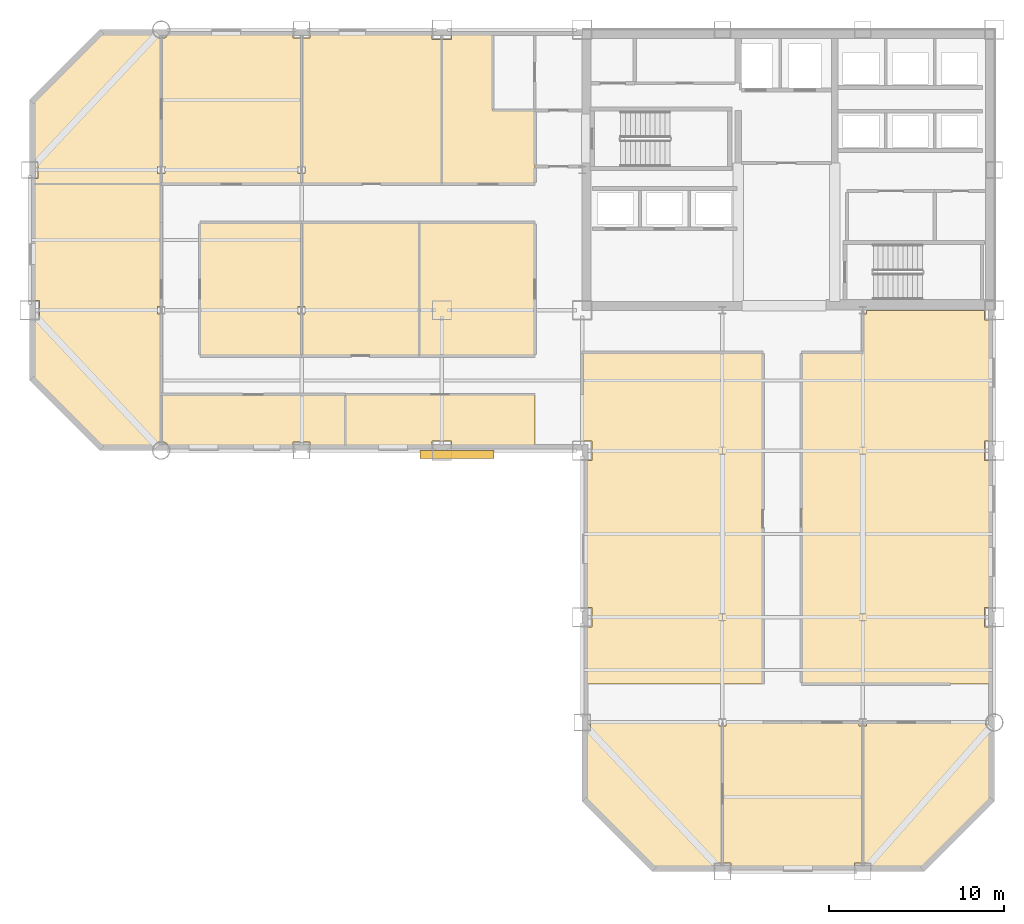
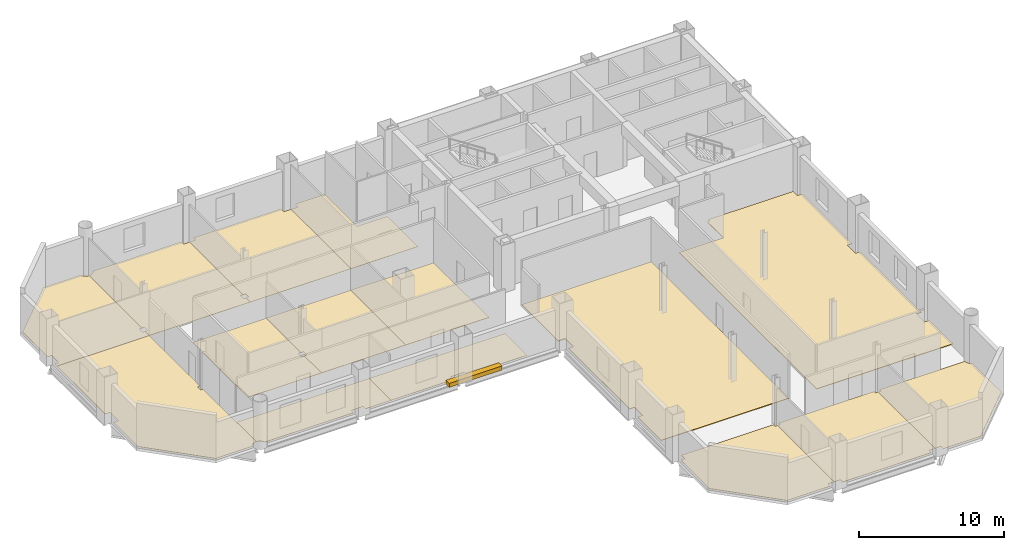
# One storey, part 9 of 10: 15 coverings, 1 shading device.
"""IFC4 building model written with IfcOpenShell, lengths in metres."""

from ifc_helpers import new_model, si_unit, direction, frame, origin, origin_2d, place, context, subcontext, project, spatial, polyline, rectangle, outline, extrude, material, layer, layer_set, type_object, element, save


model = new_model("IFC4")

# Units and contexts
model_context = context("Model", 3, precision=1e-05, world=origin(), true_north=direction((0.0, 1.0)))
body_context = subcontext(model_context, "Body", "Model", "MODEL_VIEW")
ifc_project = project(units=[si_unit("LENGTHUNIT", "METRE"), si_unit("AREAUNIT", "SQUARE_METRE"), si_unit("VOLUMEUNIT", "CUBIC_METRE"), si_unit("PLANEANGLEUNIT", "RADIAN"), si_unit("MASSUNIT", "GRAM", prefix="KILO")], contexts=[model_context])

# Site, building, storey
site_placement = place(None, origin())
site = spatial("IfcSite", under=ifc_project, at=site_placement, CompositionType="ELEMENT")
building_placement = place(site_placement, origin())
building = spatial("IfcBuilding", under=site, at=building_placement, Name="Qianrong Seaharbour Tower", CompositionType="ELEMENT")
storey_placement = place(building_placement, frame((0.0, 0.0, 131.0)))
storey = spatial("IfcBuildingStorey", under=building, at=storey_placement, Name="L31", CompositionType="ELEMENT", Elevation=131.0)

# Coverings
ifc_material_1 = material(Name="Acoustic modular carpet tile flooring")
ifc_layer_1 = layer(ifc_material_1, 0.02001953125)
ifc_layer_set_1 = layer_set([ifc_layer_1], Name="Acoustic modular carpet tile flooring")
covering_type_1 = type_object("IfcCoveringType", Name="COV-FLOOR-CARPET-20", PredefinedType="FLOORING", material=ifc_layer_set_1)
covering_1_placement = place(storey_placement, origin())
element("IfcCovering", 1, at=covering_1_placement, inside=storey, type_object=covering_type_1, Name="L31 Boardroom 1 Finish Flooring", PredefinedType="FLOORING", context=body_context, shape_type="SweptSolid", body=[
    extrude(outline(polyline([(9.1650390625, 43.514892578125), (9.485107421875, 43.514892578125), (9.485107421875, 44.485107421875), (9.1650390625, 44.485107421875), (9.1650390625, 47.931640625), (13.068359375, 51.8349609375), (16.019775390625, 51.8349609375), (16.02880859375, 51.8046875), (16.075927734375, 51.716796875), (16.139404296875, 51.639404296875), (16.216796875, 51.575927734375), (16.3046875, 51.52880859375), (16.400390625, 51.499755859375), (16.5, 51.489990234375), (16.5, 44.2099609375), (16.2900390625, 44.2099609375), (16.2900390625, 43.7900390625), (16.5, 43.7900390625), (16.5, 43.199951171875), (9.1650390625, 43.199951171875), (9.1650390625, 43.514892578125)])), origin(), (0.0, 0.0, 1.0), 0.02001953125),
])
covering_2_placement = place(storey_placement, origin())
element("IfcCovering", 2, at=covering_2_placement, inside=storey, type_object=covering_type_1, Name="L31 Meeting Room 2 Finish Flooring", PredefinedType="FLOORING", context=body_context, shape_type="SweptSolid", body=[
    extrude(outline(polyline([(16.5, 43.7900390625), (16.7099609375, 43.7900390625), (16.7099609375, 44.2099609375), (16.5, 44.2099609375), (16.5, 51.489990234375), (16.599609375, 51.499755859375), (16.6953125, 51.52880859375), (16.783203125, 51.575927734375), (16.860595703125, 51.639404296875), (16.924072265625, 51.716796875), (16.97119140625, 51.8046875), (16.980224609375, 51.8349609375), (24.014892578125, 51.8349609375), (24.014892578125, 51.514892578125), (24.5, 51.514892578125), (24.5, 44.2099609375), (24.2900390625, 44.2099609375), (24.2900390625, 43.7900390625), (24.5, 43.7900390625), (24.5, 43.199951171875), (16.5, 43.199951171875), (16.5, 43.7900390625)])), origin(), (0.0, 0.0, 1.0), 0.02001953125),
])
covering_3_placement = place(storey_placement, origin())
element("IfcCovering", 3, at=covering_3_placement, inside=storey, type_object=covering_type_1, Name="L31 Project Library 3 Finish Flooring", PredefinedType="FLOORING", context=body_context, shape_type="SweptSolid", body=[
    extrude(outline(polyline([(24.5, 43.7900390625), (24.7099609375, 43.7900390625), (24.7099609375, 44.2099609375), (24.5, 44.2099609375), (24.5, 51.514892578125), (24.985107421875, 51.514892578125), (24.985107421875, 51.8349609375), (31.93994140625, 51.8349609375), (31.93994140625, 51.43994140625), (32.5, 51.43994140625), (32.5, 43.199951171875), (24.5, 43.199951171875), (24.5, 43.7900390625)])), origin(), (0.0, 0.0, 1.0), 0.02001953125),
])
covering_4_placement = place(storey_placement, origin())
element("IfcCovering", 4, at=covering_4_placement, inside=storey, type_object=covering_type_1, Name="L31 Training Seminar Room 4 Finish Flooring", PredefinedType="FLOORING", context=body_context, shape_type="SweptSolid", body=[
    extrude(outline(polyline([(32.5, 51.43994140625), (33.06005859375, 51.43994140625), (33.06005859375, 51.8349609375), (35.39990234375, 51.8349609375), (35.39990234375, 47.39990234375), (37.800048828125, 47.39990234375), (37.800048828125, 43.199951171875), (32.5, 43.199951171875), (32.5, 51.43994140625)])), origin(), (0.0, 0.0, 1.0), 0.02001953125),
])
covering_5_placement = place(storey_placement, origin())
element("IfcCovering", 5, at=covering_5_placement, inside=storey, type_object=covering_type_1, Name="L31 Conference Room 1 Finish Flooring", PredefinedType="FLOORING", context=body_context, shape_type="SweptSolid", body=[
    extrude(outline(polyline([(24.5, 41.0), (24.5, 36.2099609375), (24.2900390625, 36.2099609375), (24.2900390625, 35.7900390625), (24.5, 35.7900390625), (24.5, 33.39990234375), (18.699951171875, 33.39990234375), (18.699951171875, 41.0), (24.5, 41.0)])), origin(), (0.0, 0.0, 1.0), 0.02001953125),
])
covering_6_placement = place(storey_placement, origin())
element("IfcCovering", 6, at=covering_6_placement, inside=storey, type_object=covering_type_1, Name="L31 Project Library 2 Finish Flooring", PredefinedType="FLOORING", context=body_context, shape_type="SweptSolid", body=[
    extrude(outline(polyline([(31.199951171875, 41.0), (31.199951171875, 33.39990234375), (24.5, 33.39990234375), (24.5, 35.7900390625), (24.7099609375, 35.7900390625), (24.7099609375, 36.2099609375), (24.5, 36.2099609375), (24.5, 41.0), (31.199951171875, 41.0)])), origin(), (0.0, 0.0, 1.0), 0.02001953125),
])
covering_7_placement = place(storey_placement, origin())
element("IfcCovering", 7, at=covering_7_placement, inside=storey, type_object=covering_type_1, Name="L31 Briefing Room 3 Finish Flooring", PredefinedType="FLOORING", context=body_context, shape_type="SweptSolid", body=[
    extrude(outline(polyline([(37.800048828125, 41.0), (37.800048828125, 33.39990234375), (31.199951171875, 33.39990234375), (31.199951171875, 41.0), (37.800048828125, 41.0)])), origin(), (0.0, 0.0, 1.0), 0.02001953125),
])
covering_8_placement = place(storey_placement, origin())
element("IfcCovering", 8, at=covering_8_placement, inside=storey, type_object=covering_type_1, Name="L31 West Harbour Lecture Hall Finish Flooring", PredefinedType="FLOORING", context=body_context, shape_type="SweptSolid", body=[
    extrude(outline(polyline([(13.068359375, 28.1650390625), (9.1650390625, 32.068359375), (9.1650390625, 35.43994140625), (9.56005859375, 35.43994140625), (9.56005859375, 36.56005859375), (9.1650390625, 36.56005859375), (9.1650390625, 43.199951171875), (16.5, 43.199951171875), (16.5, 36.2099609375), (16.2900390625, 36.2099609375), (16.2900390625, 35.7900390625), (16.5, 35.7900390625), (16.5, 28.510009765625), (16.400390625, 28.500244140625), (16.3046875, 28.47119140625), (16.216796875, 28.424072265625), (16.139404296875, 28.360595703125), (16.075927734375, 28.283203125), (16.02880859375, 28.1953125), (16.019775390625, 28.1650390625), (13.068359375, 28.1650390625)])), origin(), (0.0, 0.0, 1.0), 0.02001953125),
])
covering_9_placement = place(storey_placement, origin())
element("IfcCovering", 9, at=covering_9_placement, inside=storey, type_object=covering_type_1, Name="L31 Meeting Room 1 Finish Flooring", PredefinedType="FLOORING", context=body_context, shape_type="SweptSolid", body=[
    extrude(outline(polyline([(27.0, 28.1650390625), (24.985107421875, 28.1650390625), (24.985107421875, 28.485107421875), (24.014892578125, 28.485107421875), (24.014892578125, 28.1650390625), (16.980224609375, 28.1650390625), (16.97119140625, 28.1953125), (16.924072265625, 28.283203125), (16.860595703125, 28.360595703125), (16.783203125, 28.424072265625), (16.6953125, 28.47119140625), (16.599609375, 28.500244140625), (16.5, 28.510009765625), (16.5, 31.199951171875), (27.0, 31.199951171875), (27.0, 28.1650390625)])), origin(), (0.0, 0.0, 1.0), 0.02001953125),
])
covering_10_placement = place(storey_placement, origin())
element("IfcCovering", 10, at=covering_10_placement, inside=storey, type_object=covering_type_1, Name="L31 Wet Pantry 2 Finish Flooring", PredefinedType="FLOORING", context=body_context, shape_type="SweptSolid", body=[
    extrude(outline(polyline([(37.800048828125, 28.1650390625), (33.06005859375, 28.1650390625), (33.06005859375, 28.56005859375), (31.93994140625, 28.56005859375), (31.93994140625, 28.1650390625), (27.0, 28.1650390625), (27.0, 31.199951171875), (37.800048828125, 31.199951171875), (37.800048828125, 28.1650390625)])), origin(), (0.0, 0.0, 1.0), 0.02001953125),
])
covering_11_placement = place(storey_placement, origin())
element("IfcCovering", 11, at=covering_11_placement, inside=storey, type_object=covering_type_1, Name="L31 Maritime Seminar Room 1 Finish Flooring", PredefinedType="FLOORING", context=body_context, shape_type="SweptSolid", body=[
    extrude(outline(polyline([(44.568359375, 4.1650390625), (40.6650390625, 8.068359375), (40.6650390625, 12.014892578125), (40.985107421875, 12.014892578125), (40.985107421875, 12.5), (48.2900390625, 12.5), (48.2900390625, 12.2900390625), (48.5, 12.2900390625), (48.5, 4.485107421875), (48.014892578125, 4.485107421875), (48.014892578125, 4.1650390625), (44.568359375, 4.1650390625)])), origin(), (0.0, 0.0, 1.0), 0.02001953125),
])
covering_12_placement = place(storey_placement, origin())
element("IfcCovering", 12, at=covering_12_placement, inside=storey, type_object=covering_type_1, Name="L31 Meeting Room 2 Finish Flooring", PredefinedType="FLOORING", context=body_context, shape_type="SweptSolid", body=[
    extrude(outline(polyline([(56.5, 4.485107421875), (56.014892578125, 4.485107421875), (56.014892578125, 4.1650390625), (48.985107421875, 4.1650390625), (48.985107421875, 4.485107421875), (48.5, 4.485107421875), (48.5, 12.2900390625), (48.7099609375, 12.2900390625), (48.7099609375, 12.5), (56.2900390625, 12.5), (56.2900390625, 12.2900390625), (56.5, 12.2900390625), (56.5, 4.485107421875)])), origin(), (0.0, 0.0, 1.0), 0.02001953125),
])
covering_13_placement = place(storey_placement, origin())
element("IfcCovering", 13, at=covering_13_placement, inside=storey, type_object=covering_type_1, Name="L31 Standards Library 3 Finish Flooring", PredefinedType="FLOORING", context=body_context, shape_type="SweptSolid", body=[
    extrude(outline(polyline([(63.8349609375, 8.068359375), (59.931640625, 4.1650390625), (56.985107421875, 4.1650390625), (56.985107421875, 4.485107421875), (56.5, 4.485107421875), (56.5, 12.2900390625), (56.7099609375, 12.2900390625), (56.7099609375, 12.5), (63.489990234375, 12.5), (63.499755859375, 12.400390625), (63.52880859375, 12.3046875), (63.575927734375, 12.216796875), (63.639404296875, 12.139404296875), (63.716796875, 12.075927734375), (63.8046875, 12.02880859375), (63.8349609375, 12.019775390625), (63.8349609375, 8.068359375)])), origin(), (0.0, 0.0, 1.0), 0.02001953125),
])
ifc_material_2 = material(Name="Calcium-sulphate raised access floor tile")
ifc_layer_2 = layer(ifc_material_2, 0.044921875)
ifc_layer_set_2 = layer_set([ifc_layer_2], Name="Calcium-sulphate raised access floor tile")
covering_type_2 = type_object("IfcCoveringType", Name="COV-FLOOR-RAISED-45", PredefinedType="FLOORING", material=ifc_layer_set_2)
covering_14_placement = place(storey_placement, origin())
element("IfcCovering", 14, at=covering_14_placement, inside=storey, type_object=covering_type_2, Name="L31 South Wing Open-Plan Office Finish Flooring", PredefinedType="FLOORING", context=body_context, shape_type="SweptSolid", body=[
    extrude(outline(polyline([(56.5, 33.60009765625), (56.5, 35.7900390625), (56.7099609375, 35.7900390625), (56.7099609375, 36.0), (63.43994140625, 36.0), (63.43994140625, 35.43994140625), (63.8349609375, 35.43994140625), (63.8349609375, 28.56005859375), (63.43994140625, 28.56005859375), (63.43994140625, 27.43994140625), (63.8349609375, 27.43994140625), (63.8349609375, 19.06005859375), (63.43994140625, 19.06005859375), (63.43994140625, 17.93994140625), (63.8349609375, 17.93994140625), (63.8349609375, 14.699951171875), (53.0, 14.699951171875), (53.0, 33.60009765625), (56.5, 33.60009765625)])), origin(), (0.0, 0.0, 1.0), 0.044921875),
])
covering_15_placement = place(storey_placement, origin())
element("IfcCovering", 15, at=covering_15_placement, inside=storey, type_object=covering_type_2, Name="L31 West Spine Open-Plan Office Finish Flooring", PredefinedType="FLOORING", context=body_context, shape_type="SweptSolid", body=[
    extrude(outline(polyline([(50.800048828125, 14.699951171875), (40.6650390625, 14.699951171875), (40.6650390625, 17.93994140625), (41.06005859375, 17.93994140625), (41.06005859375, 19.06005859375), (40.6650390625, 19.06005859375), (40.6650390625, 27.43994140625), (41.06005859375, 27.43994140625), (41.06005859375, 28.56005859375), (40.5, 28.56005859375), (40.5, 33.60009765625), (50.800048828125, 33.60009765625), (50.800048828125, 14.699951171875)])), origin(), (0.0, 0.0, 1.0), 0.044921875),
])

# Shading device
ifc_material_3 = material(Name="White architectural precast concrete C45/55", Category="concrete")
shading_device_type = type_object("IfcShadingDeviceType", Name="SHD-SUNSHADE-WHITE-320", PredefinedType="AWNING", material=ifc_material_3)
shading_device_placement = place(storey_placement, frame((33.362548828125, 27.780029296875, -0.02001953125), z_axis=(0.0, 0.0, 1.0), x_axis=(1.0, 0.0, 0.0)))
element("IfcShadingDevice", 16, at=shading_device_placement, inside=storey, type_object=shading_device_type, Name="L31 Climbing White Precast Ribbon Canopy Fin", PredefinedType="AWNING", context=body_context, shape_type="SweptSolid", body=[
    extrude(rectangle(XDim=4.199951171875, YDim=0.4599609375, at=origin_2d()), origin(), (0.0, 0.0, 1.0), 0.340087890625),
])

save(model, "model.ifc")
